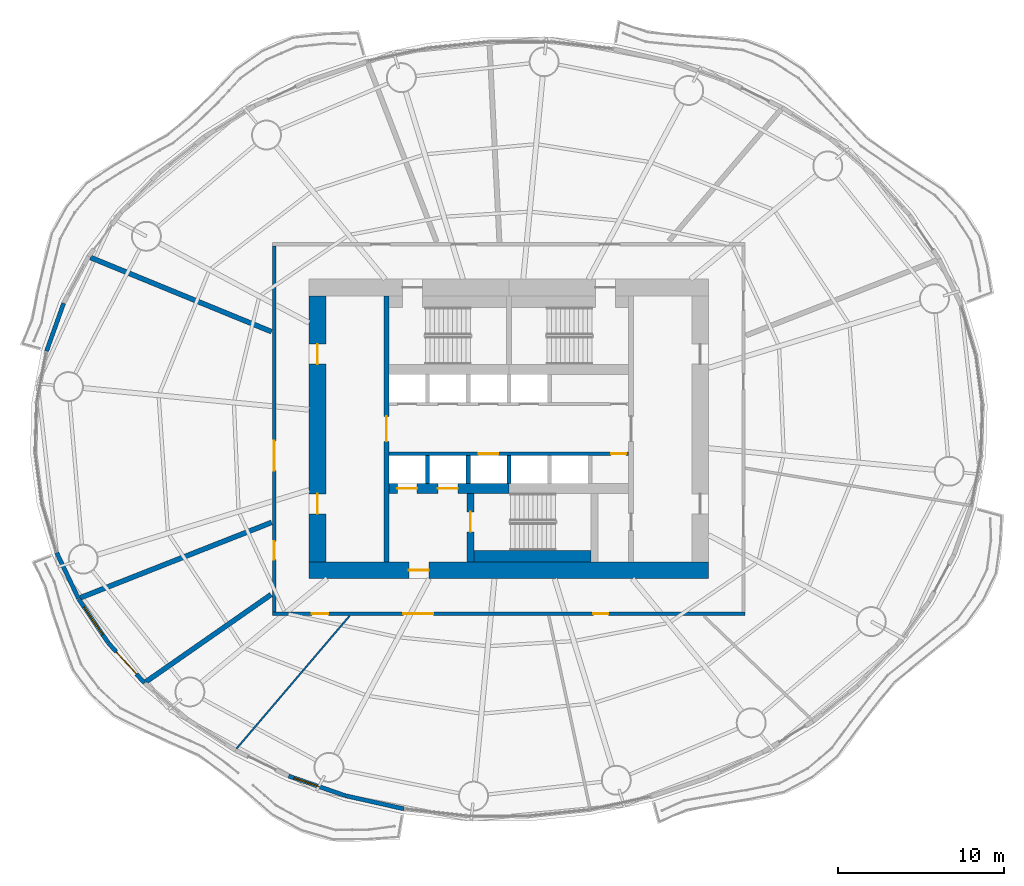
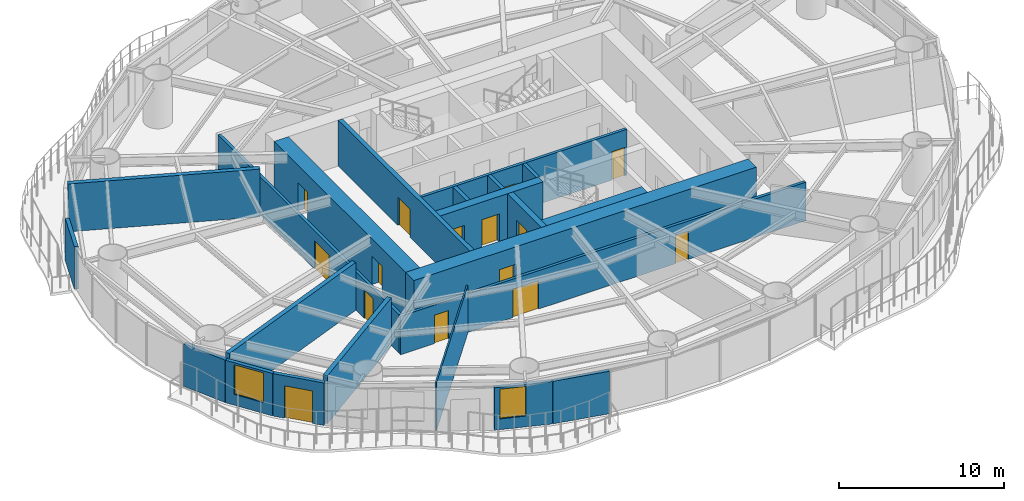
# One storey, part 8 of 16: 22 walls, 15 doors, 2 windows, 17 openings.
"""IFC4 building model written with IfcOpenShell, lengths in metres."""

from ifc_helpers import new_model, si_unit, direction, frame, frame_2d, origin, place, context, subcontext, project, spatial, rectangle, extrude, material, layer, layer_set, type_object, element, fill, save


model = new_model("IFC4")

# Units and contexts
model_context = context("Model", 3, precision=1e-05, world=origin(), true_north=direction((0.0, 1.0)))
body_context = subcontext(model_context, "Body", "Model", "MODEL_VIEW")
ifc_project = project(units=[si_unit("LENGTHUNIT", "METRE"), si_unit("AREAUNIT", "SQUARE_METRE"), si_unit("VOLUMEUNIT", "CUBIC_METRE"), si_unit("PLANEANGLEUNIT", "RADIAN"), si_unit("MASSUNIT", "GRAM", prefix="KILO")], contexts=[model_context])

# Site, building, storey
site_placement = place(None, origin())
site = spatial("IfcSite", under=ifc_project, at=site_placement, CompositionType="ELEMENT")
building_placement = place(site_placement, origin())
building = spatial("IfcBuilding", under=site, at=building_placement, Name="Vermilion Reach Broadcast Tower", CompositionType="ELEMENT")
storey_placement = place(building_placement, frame((0.0, 0.0, 47.10009765625)))
storey = spatial("IfcBuildingStorey", under=building, at=storey_placement, Name="L08", CompositionType="ELEMENT", Elevation=47.10009765625)

# Wall, opening, door
ifc_material_1 = material(Name="Concrete C70", Category="concrete")
ifc_layer_1 = layer(ifc_material_1, 0.300048828125)
ifc_layer_set_1 = layer_set([ifc_layer_1], Name="Core inner wall 300 mm Concrete C70")
wall_type_1 = type_object("IfcWallType", Name="Core inner wall 300 mm Concrete C70", PredefinedType="SHEAR", material=ifc_layer_set_1)
wall_1_placement = place(storey_placement, frame((-13.35009765625, 8.0, 0.0), z_axis=(0.0, 0.0, 1.0), x_axis=(0.0, -1.0, 0.0)))
wall_1 = element("IfcWall", 1, at=wall_1_placement, inside=storey, type_object=wall_type_1, Name="L08 core wall ewW", PredefinedType="SHEAR", context=body_context, shape_type="SweptSolid", body=[
    extrude(rectangle(XDim=16.0, YDim=0.300048828125, at=frame_2d((8.0, 0.0))), origin(), (0.0, 0.0, 1.0), 3.39990234375),
])
opening_1_placement = place(wall_1_placement, frame((7.25, 0.0, 0.0)))
opening_1 = element("IfcOpeningElement", 2, at=opening_1_placement, cuts=wall_1, Name="Opening D04", PredefinedType="OPENING", context=body_context, shape_type="SweptSolid", body=[
    extrude(rectangle(XDim=1.5, YDim=2.10009765625, at=frame_2d((0.75, 1.050048828125))), frame((0.0, 0.159912109375, 0.0), z_axis=(0.0, -1.0, 0.0), x_axis=(1.0, 0.0, 0.0)), (0.0, 0.0, 1.0), 0.320068359375),
])
ifc_material_2 = material(Name="Painted steel fire door", Category="steel")
door_type_1 = type_object("IfcDoorType", Name="Lift lobby door 1500 x 2100", OperationType="DOUBLE_DOOR_SINGLE_SWING", PredefinedType="NOTDEFINED", material=ifc_material_2)
door_1_placement = place(opening_1_placement, origin())
door_1 = element("IfcDoor", 3, at=door_1_placement, inside=storey, type_object=door_type_1, Name="L08 band door BW", OperationType="DOUBLE_DOOR_SINGLE_SWING", OverallHeight=2.10009765625, OverallWidth=1.5, PredefinedType="NOTDEFINED", context=body_context, shape_type="SweptSolid", body=[
    extrude(rectangle(XDim=1.5, YDim=2.10009765625, at=frame_2d((0.75, 1.050048828125))), frame((0.0, 0.02490234375, 0.0), z_axis=(0.0, -1.0, 0.0), x_axis=(1.0, 0.0, 0.0)), (0.0, 0.0, 1.0), 0.050048828125),
])
fill(opening_1, door_1)

ifc_material_3 = material(Name="Concrete C70", Category="concrete")
ifc_layer_2 = layer(ifc_material_3, 0.39990234375)
ifc_layer_set_2 = layer_set([ifc_layer_2], Name="Core inner wall 400 mm Concrete C70")
wall_type_2 = type_object("IfcWallType", Name="Core inner wall 400 mm Concrete C70", PredefinedType="SHEAR", material=ifc_layer_set_2)
wall_2_placement = place(storey_placement, frame((-8.300048828125, -3.8798828125, 0.0), z_axis=(0.0, 0.0, 1.0), x_axis=(0.0, -1.0, 0.0)))
wall_2 = element("IfcWall", 4, at=wall_2_placement, inside=storey, type_object=wall_type_2, Name="L08 core wall wa", PredefinedType="SHEAR", context=body_context, shape_type="SweptSolid", body=[
    extrude(rectangle(XDim=4.1201171875, YDim=0.39990234375, at=frame_2d((2.06005859375, 0.0))), origin(), (0.0, 0.0, 1.0), 3.39990234375),
])
opening_2_placement = place(wall_2_placement, frame((1.110107421875, 0.0, 0.0)))
opening_2 = element("IfcOpeningElement", 5, at=opening_2_placement, cuts=wall_2, Name="Opening D01", PredefinedType="OPENING", context=body_context, shape_type="SweptSolid", body=[
    extrude(rectangle(XDim=1.199951171875, YDim=2.10009765625, at=frame_2d((0.60009765625, 1.050048828125))), frame((0.0, 0.2099609375, 0.0), z_axis=(0.0, -1.0, 0.0), x_axis=(1.0, 0.0, 0.0)), (0.0, 0.0, 1.0), 0.419921875),
])
ifc_material_4 = material(Name="Painted steel fire door", Category="steel")
door_type_2 = type_object("IfcDoorType", Name="Stair door 1200 x 2100", OperationType="DOUBLE_DOOR_SINGLE_SWING", PredefinedType="NOTDEFINED", material=ifc_material_4)
door_2_placement = place(opening_2_placement, origin())
door_2 = element("IfcDoor", 6, at=door_2_placement, inside=storey, type_object=door_type_2, Name="L08 stair door ST3", OperationType="DOUBLE_DOOR_SINGLE_SWING", OverallHeight=2.10009765625, OverallWidth=1.199951171875, PredefinedType="NOTDEFINED", context=body_context, shape_type="SweptSolid", body=[
    extrude(rectangle(XDim=1.199951171875, YDim=2.10009765625, at=frame_2d((0.60009765625, 1.050048828125))), frame((0.0, 0.02490234375, 0.0), z_axis=(0.0, -1.0, 0.0), x_axis=(1.0, 0.0, 0.0)), (0.0, 0.0, 1.0), 0.050048828125),
])
fill(opening_2, door_2)

# Wall, openings, doors
ifc_material_5 = material(Name="Concrete C70", Category="concrete")
ifc_layer_3 = layer(ifc_material_5, 0.60009765625)
ifc_layer_set_3 = layer_set([ifc_layer_3], Name="Core inner wall 600 mm Concrete C70")
wall_type_3 = type_object("IfcWallType", Name="Core inner wall 600 mm Concrete C70", PredefinedType="SHEAR", material=ifc_layer_set_3)
wall_3_placement = place(storey_placement, frame((-13.199951171875, -3.580078125, 0.0), z_axis=(0.0, 0.0, 1.0), x_axis=(1.0, 0.0, 0.0)))
wall_3 = element("IfcWall", 7, at=wall_3_placement, inside=storey, type_object=wall_type_3, Name="L08 core wall wisW", PredefinedType="SHEAR", context=body_context, shape_type="SweptSolid", body=[
    extrude(rectangle(XDim=7.199951171875, YDim=0.60009765625, at=frame_2d((3.60009765625, 0.0))), origin(), (0.0, 0.0, 1.0), 3.39990234375),
])
opening_3_placement = place(wall_3_placement, frame((0.495849609375, 0.0, 0.0)))
opening_3 = element("IfcOpeningElement", 8, at=opening_3_placement, cuts=wall_3, Name="Opening LD1", PredefinedType="OPENING", context=body_context, shape_type="SweptSolid", body=[
    extrude(rectangle(XDim=1.199951171875, YDim=2.10009765625, at=frame_2d((0.60009765625, 1.050048828125))), frame((0.0, 0.31005859375, 0.0), z_axis=(0.0, -1.0, 0.0), x_axis=(1.0, 0.0, 0.0)), (0.0, 0.0, 1.0), 0.6201171875),
])
opening_4_placement = place(wall_3_placement, frame((2.9375, 0.0, 0.0)))
opening_4 = element("IfcOpeningElement", 9, at=opening_4_placement, cuts=wall_3, Name="Opening LD1", PredefinedType="OPENING", context=body_context, shape_type="SweptSolid", body=[
    extrude(rectangle(XDim=1.199951171875, YDim=2.10009765625, at=frame_2d((0.60009765625, 1.050048828125))), frame((0.0, 0.31005859375, 0.0), z_axis=(0.0, -1.0, 0.0), x_axis=(1.0, 0.0, 0.0)), (0.0, 0.0, 1.0), 0.6201171875),
])
ifc_material_6 = material(Name="Stainless steel", Category="steel")
door_type_3 = type_object("IfcDoorType", Name="Landing door 1200 x 2100", OperationType="DOUBLE_DOOR_SLIDING", PredefinedType="NOTDEFINED", material=ifc_material_6)
door_3_placement = place(opening_3_placement, origin())
door_3 = element("IfcDoor", 10, at=door_3_placement, inside=storey, type_object=door_type_3, Name="L08 landing door FF1", OperationType="DOUBLE_DOOR_SLIDING", OverallHeight=2.10009765625, OverallWidth=1.199951171875, PredefinedType="NOTDEFINED", context=body_context, shape_type="SweptSolid", body=[
    extrude(rectangle(XDim=1.199951171875, YDim=2.10009765625, at=frame_2d((0.60009765625, 1.050048828125))), frame((0.0, 0.02490234375, 0.0), z_axis=(0.0, -1.0, 0.0), x_axis=(1.0, 0.0, 0.0)), (0.0, 0.0, 1.0), 0.050048828125),
])
fill(opening_3, door_3)
door_4_placement = place(opening_4_placement, origin())
door_4 = element("IfcDoor", 11, at=door_4_placement, inside=storey, type_object=door_type_3, Name="L08 landing door FF2", OperationType="DOUBLE_DOOR_SLIDING", OverallHeight=2.10009765625, OverallWidth=1.199951171875, PredefinedType="NOTDEFINED", context=body_context, shape_type="SweptSolid", body=[
    extrude(rectangle(XDim=1.199951171875, YDim=2.10009765625, at=frame_2d((0.60009765625, 1.050048828125))), frame((0.0, 0.02490234375, 0.0), z_axis=(0.0, -1.0, 0.0), x_axis=(1.0, 0.0, 0.0)), (0.0, 0.0, 1.0), 0.050048828125),
])
fill(opening_4, door_4)

# Wall, opening, door
ifc_material_7 = material(Name="Concrete C70", Category="concrete")
ifc_layer_4 = layer(ifc_material_7, 1.0)
ifc_layer_set_4 = layer_set([ifc_layer_4], Name="Core outer wall 1000 mm Concrete C70")
wall_type_4 = type_object("IfcWallType", Name="Core outer wall 1000 mm Concrete C70", PredefinedType="SHEAR", material=ifc_layer_set_4)
wall_4_placement = place(storey_placement, frame((-18.0, -8.5, 0.0), z_axis=(0.0, 0.0, 1.0), x_axis=(1.0, 0.0, 0.0)))
wall_4 = element("IfcWall", 12, at=wall_4_placement, inside=storey, type_object=wall_type_4, Name="L08 core wall os", PredefinedType="SHEAR", context=body_context, shape_type="SweptSolid", body=[
    extrude(rectangle(XDim=24.0, YDim=1.0, at=frame_2d((12.0, 0.0))), origin(), (0.0, 0.0, 1.0), 3.39990234375),
])
opening_5_placement = place(wall_4_placement, frame((6.0, 0.0, 0.0)))
opening_5 = element("IfcOpeningElement", 13, at=opening_5_placement, cuts=wall_4, Name="Opening D02", PredefinedType="OPENING", context=body_context, shape_type="SweptSolid", body=[
    extrude(rectangle(XDim=1.199951171875, YDim=2.10009765625, at=frame_2d((0.60009765625, 1.050048828125))), frame((0.0, 0.510009765625, 0.0), z_axis=(0.0, -1.0, 0.0), x_axis=(1.0, 0.0, 0.0)), (0.0, 0.0, 1.0), 1.02001953125),
])
ifc_material_8 = material(Name="Painted steel fire door", Category="steel")
door_type_4 = type_object("IfcDoorType", Name="Firefighting lobby door 1200 x 2100", OperationType="DOUBLE_DOOR_SINGLE_SWING", PredefinedType="NOTDEFINED", material=ifc_material_8)
door_5_placement = place(opening_5_placement, origin())
door_5 = element("IfcDoor", 14, at=door_5_placement, inside=storey, type_object=door_type_4, Name="L08 ffdoor door FFL", OperationType="DOUBLE_DOOR_SINGLE_SWING", OverallHeight=2.10009765625, OverallWidth=1.199951171875, PredefinedType="NOTDEFINED", context=body_context, shape_type="SweptSolid", body=[
    extrude(rectangle(XDim=1.199951171875, YDim=2.10009765625, at=frame_2d((0.60009765625, 1.050048828125))), frame((0.0, 0.02490234375, 0.0), z_axis=(0.0, -1.0, 0.0), x_axis=(1.0, 0.0, 0.0)), (0.0, 0.0, 1.0), 0.050048828125),
])
fill(opening_5, door_5)

# Wall, openings, doors
wall_5_placement = place(storey_placement, frame((-17.5, 8.0, 0.0), z_axis=(0.0, 0.0, 1.0), x_axis=(0.0, -1.0, 0.0)))
wall_5 = element("IfcWall", 15, at=wall_5_placement, inside=storey, type_object=wall_type_4, Name="L08 core wall ow", PredefinedType="SHEAR", context=body_context, shape_type="SweptSolid", body=[
    extrude(rectangle(XDim=16.0, YDim=1.0, at=frame_2d((8.0, 0.0))), origin(), (0.0, 0.0, 1.0), 3.39990234375),
])
opening_6_placement = place(wall_5_placement, frame((11.89990234375, 0.0, 0.0)))
opening_6 = element("IfcOpeningElement", 16, at=opening_6_placement, cuts=wall_5, Name="Opening D03", PredefinedType="OPENING", context=body_context, shape_type="SweptSolid", body=[
    extrude(rectangle(XDim=1.199951171875, YDim=2.10009765625, at=frame_2d((0.60009765625, 1.050048828125))), frame((0.0, 0.510009765625, 0.0), z_axis=(0.0, -1.0, 0.0), x_axis=(1.0, 0.0, 0.0)), (0.0, 0.0, 1.0), 1.02001953125),
])
opening_7_placement = place(wall_5_placement, frame((2.89990234375, 0.0, 0.0)))
opening_7 = element("IfcOpeningElement", 17, at=opening_7_placement, cuts=wall_5, Name="Opening D03", PredefinedType="OPENING", context=body_context, shape_type="SweptSolid", body=[
    extrude(rectangle(XDim=1.199951171875, YDim=2.10009765625, at=frame_2d((0.60009765625, 1.050048828125))), frame((0.0, 0.510009765625, 0.0), z_axis=(0.0, -1.0, 0.0), x_axis=(1.0, 0.0, 0.0)), (0.0, 0.0, 1.0), 1.02001953125),
])
ifc_material_9 = material(Name="Painted steel fire door", Category="steel")
door_type_5 = type_object("IfcDoorType", Name="Core lobby door 1200 x 2100", OperationType="DOUBLE_DOOR_SINGLE_SWING", PredefinedType="NOTDEFINED", material=ifc_material_9)
door_6_placement = place(opening_6_placement, origin())
door_6 = element("IfcDoor", 18, at=door_6_placement, inside=storey, type_object=door_type_5, Name="L08 slot door W0", OperationType="DOUBLE_DOOR_SINGLE_SWING", OverallHeight=2.10009765625, OverallWidth=1.199951171875, PredefinedType="NOTDEFINED", context=body_context, shape_type="SweptSolid", body=[
    extrude(rectangle(XDim=1.199951171875, YDim=2.10009765625, at=frame_2d((0.60009765625, 1.050048828125))), frame((0.0, 0.02490234375, 0.0), z_axis=(0.0, -1.0, 0.0), x_axis=(1.0, 0.0, 0.0)), (0.0, 0.0, 1.0), 0.050048828125),
])
fill(opening_6, door_6)
door_7_placement = place(opening_7_placement, origin())
door_7 = element("IfcDoor", 19, at=door_7_placement, inside=storey, type_object=door_type_5, Name="L08 slot door W1", OperationType="DOUBLE_DOOR_SINGLE_SWING", OverallHeight=2.10009765625, OverallWidth=1.199951171875, PredefinedType="NOTDEFINED", context=body_context, shape_type="SweptSolid", body=[
    extrude(rectangle(XDim=1.199951171875, YDim=2.10009765625, at=frame_2d((0.60009765625, 1.050048828125))), frame((0.0, 0.02490234375, 0.0), z_axis=(0.0, -1.0, 0.0), x_axis=(1.0, 0.0, 0.0)), (0.0, 0.0, 1.0), 0.050048828125),
])
fill(opening_7, door_7)

ifc_material_10 = material(Name="Concrete C50", Category="concrete")
ifc_layer_5 = layer(ifc_material_10, 0.199951171875)
ifc_layer_set_5 = layer_set([ifc_layer_5], Name="Core shaft wall 200 mm Concrete C50")
wall_type_5 = type_object("IfcWallType", Name="Core shaft wall 200 mm Concrete C50", PredefinedType="SHEAR", material=ifc_layer_set_5)
wall_6_placement = place(storey_placement, frame((1.199951171875, -1.5, 0.0), z_axis=(0.0, 0.0, 1.0), x_axis=(-1.0, 0.0, 0.0)))
wall_6 = element("IfcWall", 20, at=wall_6_placement, inside=storey, type_object=wall_type_5, Name="L08 core wall fs", PredefinedType="SHEAR", context=body_context, shape_type="SweptSolid", body=[
    extrude(rectangle(XDim=14.39990234375, YDim=0.199951171875, at=frame_2d((7.199951171875, 0.0))), origin(), (0.0, 0.0, 1.0), 3.39990234375),
])
opening_8_placement = place(wall_6_placement, frame((7.82080078125, 0.0, 0.0)))
opening_8 = element("IfcOpeningElement", 21, at=opening_8_placement, cuts=wall_6, Name="Opening LD1", PredefinedType="OPENING", context=body_context, shape_type="SweptSolid", body=[
    extrude(rectangle(XDim=1.199951171875, YDim=2.10009765625, at=frame_2d((0.60009765625, 1.050048828125))), frame((0.0, 0.10986328125, 0.0), z_axis=(0.0, -1.0, 0.0), x_axis=(1.0, 0.0, 0.0)), (0.0, 0.0, 1.0), 0.219970703125),
])
opening_9_placement = place(wall_6_placement, frame((0.14990234375, 0.0, 0.0)))
opening_9 = element("IfcOpeningElement", 22, at=opening_9_placement, cuts=wall_6, Name="Opening D06", PredefinedType="OPENING", context=body_context, shape_type="SweptSolid", body=[
    extrude(rectangle(XDim=0.89990234375, YDim=2.10009765625, at=frame_2d((0.449951171875, 1.050048828125))), frame((0.0, 0.10986328125, 0.0), z_axis=(0.0, -1.0, 0.0), x_axis=(1.0, 0.0, 0.0)), (0.0, 0.0, 1.0), 0.219970703125),
])
door_8_placement = place(opening_8_placement, origin())
door_8 = element("IfcDoor", 23, at=door_8_placement, inside=storey, type_object=door_type_3, Name="L08 landing door SV1", OperationType="DOUBLE_DOOR_SLIDING", OverallHeight=2.10009765625, OverallWidth=1.199951171875, PredefinedType="NOTDEFINED", context=body_context, shape_type="SweptSolid", body=[
    extrude(rectangle(XDim=1.199951171875, YDim=2.10009765625, at=frame_2d((0.60009765625, 1.050048828125))), frame((0.0, 0.02490234375, 0.0), z_axis=(0.0, -1.0, 0.0), x_axis=(1.0, 0.0, 0.0)), (0.0, 0.0, 1.0), 0.050048828125),
])
fill(opening_8, door_8)
ifc_material_11 = material(Name="Timber door", Category="wood")
door_type_6 = type_object("IfcDoorType", Name="WC door 900 x 2100", OperationType="NOTDEFINED", PredefinedType="NOTDEFINED", material=ifc_material_11)
door_9_placement = place(opening_9_placement, origin())
door_9 = element("IfcDoor", 24, at=door_9_placement, inside=storey, type_object=door_type_6, Name="L08 door Male WC", OperationType="SINGLE_SWING_LEFT", OverallHeight=2.10009765625, OverallWidth=0.89990234375, PredefinedType="NOTDEFINED", context=body_context, shape_type="SweptSolid", body=[
    extrude(rectangle(XDim=0.89990234375, YDim=2.10009765625, at=frame_2d((0.449951171875, 1.050048828125))), frame((0.0, 0.02490234375, 0.0), z_axis=(0.0, -1.0, 0.0), x_axis=(1.0, 0.0, 0.0)), (0.0, 0.0, 1.0), 0.050048828125),
])
fill(opening_9, door_9)

# Walls
ifc_material_12 = material(Name="Concrete C50", Category="concrete")
ifc_layer_6 = layer(ifc_material_12, 0.25)
ifc_layer_set_6 = layer_set([ifc_layer_6], Name="Core shaft wall 250 mm Concrete C50")
wall_type_6 = type_object("IfcWallType", Name="Core shaft wall 250 mm Concrete C50", PredefinedType="SHEAR", material=ifc_layer_set_6)
for number, where, z_axis, x_axis, name in (
    (25, (-10.88330078125, -1.60009765625, 0.0), (0.0, 0.0, 1.0), (0.0, -1.0, 0.0), "L08 core wall psS0"),
    (26, (-8.441650390625, -1.60009765625, 0.0), (0.0, 0.0, 1.0), (0.0, -1.0, 0.0), "L08 core wall psS1"),
    (27, (-6.0, -1.60009765625, 0.0), (0.0, 0.0, 1.0), (0.0, -1.0, 0.0), "L08 core wall psS2"),
):
    element("IfcWall", number, at=place(storey_placement, frame(where, z_axis=z_axis, x_axis=x_axis)), inside=storey, type_object=wall_type_6, Name=name, PredefinedType="SHEAR", context=body_context, shape_type="SweptSolid", body=[
        extrude(rectangle(XDim=1.679931640625, YDim=0.25, at=frame_2d((0.83984375, 0.0))), origin(), (0.0, 0.0, 1.0), 3.39990234375),
    ])
ifc_material_13 = material(Name="Concrete C70", Category="concrete")
ifc_layer_7 = layer(ifc_material_13, 0.699951171875)
ifc_layer_set_7 = layer_set([ifc_layer_7], Name="Core stair wall 700 mm Concrete C70")
wall_type_7 = type_object("IfcWallType", Name="Core stair wall 700 mm Concrete C70", PredefinedType="SHEAR", material=ifc_layer_set_7)
wall_7_placement = place(storey_placement, frame((-8.10009765625, -7.64990234375, 0.0), z_axis=(0.0, 0.0, 1.0), x_axis=(1.0, 0.0, 0.0)))
element("IfcWall", 28, at=wall_7_placement, inside=storey, type_object=wall_type_7, Name="L08 core wall l3", PredefinedType="SHEAR", context=body_context, shape_type="SweptSolid", body=[
    extrude(rectangle(XDim=7.050048828125, YDim=0.699951171875, at=frame_2d((3.52490234375, 0.0))), origin(), (0.0, 0.0, 1.0), 3.39990234375),
])
ifc_material_14 = material(Name="Plasterboard on steel stud", Category="steel")
ifc_layer_8 = layer(ifc_material_14, 0.10009765625)
ifc_layer_set_8 = layer_set([ifc_layer_8], Name="Partition 100 steel stud")
wall_type_8 = type_object("IfcWallType", Name="Partition 100 steel stud", PredefinedType="PARTITIONING", material=ifc_layer_set_8)
wall_8_placement = place(storey_placement, frame((-22.358642578125, -19.2060546875, 0.0), z_axis=(0.0, 0.0, 1.0), x_axis=(0.648419428032, 0.761283288501, 0.0)))
element("IfcWall", 29, at=wall_8_placement, inside=storey, type_object=wall_type_8, Name="Partition 8.08", PredefinedType="PARTITIONING", context=body_context, shape_type="SweptSolid", body=[
    extrude(rectangle(XDim=10.473876953125, YDim=0.10009765625, at=frame_2d((5.23681640625, 0.0))), origin(), (0.0, 0.0, 1.0), 3.5498046875),
])
ifc_material_15 = material(Name="Double-leaf plasterboard on isolated steel stud", Category="steel")
ifc_layer_9 = layer(ifc_material_15, 0.300048828125)
ifc_layer_set_9 = layer_set([ifc_layer_9], Name="Partition 300 acoustic double leaf")
wall_type_9 = type_object("IfcWallType", Name="Partition 300 acoustic double leaf", PredefinedType="PARTITIONING", material=ifc_layer_set_9)
wall_9_placement = place(storey_placement, frame((-31.138916015625, 10.302978515625, 0.0), z_axis=(0.0, 0.0, 1.0), x_axis=(0.925302392071, -0.379230119093, 0.0)))
element("IfcWall", 30, at=wall_9_placement, inside=storey, type_object=wall_type_9, Name="Partition 8.05", PredefinedType="PARTITIONING", context=body_context, shape_type="SweptSolid", body=[
    extrude(rectangle(XDim=11.760498046875, YDim=0.300048828125, at=frame_2d((5.88037109375, 0.0))), origin(), (0.0, 0.0, 1.0), 3.5498046875),
])
wall_10_placement = place(storey_placement, frame((-31.74658203125, -10.144287109375, 0.0), z_axis=(0.0, 0.0, 1.0), x_axis=(0.930393072446, 0.366563406172, 0.0)))
element("IfcWall", 31, at=wall_10_placement, inside=storey, type_object=wall_type_9, Name="Partition 8.06", PredefinedType="PARTITIONING", context=body_context, shape_type="SweptSolid", body=[
    extrude(rectangle(XDim=12.3515625, YDim=0.300048828125, at=frame_2d((6.17578125, 0.0))), origin(), (0.0, 0.0, 1.0), 3.5498046875),
])
wall_11_placement = place(storey_placement, frame((-27.798583984375, -15.188232421875, 0.0), z_axis=(0.0, 0.0, 1.0), x_axis=(0.820483813594, 0.571669757491, 0.0)))
element("IfcWall", 32, at=wall_11_placement, inside=storey, type_object=wall_type_9, Name="Partition 8.07", PredefinedType="PARTITIONING", context=body_context, shape_type="SweptSolid", body=[
    extrude(rectangle(XDim=9.15673828125, YDim=0.300048828125, at=frame_2d((4.578369140625, 0.0))), origin(), (0.0, 0.0, 1.0), 3.5498046875),
])
ifc_material_16 = material(Name="Terracotta rainscreen cladding", Category="masonry")
ifc_layer_10 = layer(ifc_material_16, 0.25)
ifc_layer_set_10 = layer_set([ifc_layer_10], Name="Terracotta rainscreen wall 250")
wall_type_10 = type_object("IfcWallType", Name="Terracotta rainscreen wall 250", PredefinedType="SOLIDWALL", material=ifc_layer_set_10)
wall_12_placement = place(storey_placement, frame((-32.75341796875, 7.54736328125, 0.0), z_axis=(0.0, 0.0, 1.0), x_axis=(-0.335758185924, -0.941948215448, 0.0)))
element("IfcWall", 33, at=wall_12_placement, inside=storey, type_object=wall_type_10, Name="External wall L08 21", PredefinedType="SOLIDWALL", context=body_context, shape_type="SweptSolid", body=[
    extrude(rectangle(XDim=3.049560546875, YDim=0.25, at=frame_2d((1.52490234375, 0.0))), origin(), (0.0, 0.0, 1.0), 3.14990234375),
])
wall_13_placement = place(storey_placement, frame((-33.16796875, -7.43896484375, 0.0), z_axis=(0.0, 0.0, 1.0), x_axis=(0.428609341076, -0.903489918451, 0.0)))
element("IfcWall", 34, at=wall_13_placement, inside=storey, type_object=wall_type_10, Name="External wall L08 26", PredefinedType="SOLIDWALL", context=body_context, shape_type="SweptSolid", body=[
    extrude(rectangle(XDim=3.0498046875, YDim=0.25, at=frame_2d((1.52490234375, 0.0))), origin(), (0.0, 0.0, 1.0), 3.14990234375),
])

# Wall, opening, window
wall_14_placement = place(storey_placement, frame((-31.84765625, -10.21728515625, 0.0), z_axis=(0.0, 0.0, 1.0), x_axis=(0.558028768247, -0.829821603605, 0.0)))
wall_14 = element("IfcWall", 35, at=wall_14_placement, inside=storey, type_object=wall_type_10, Name="External wall L08 27", PredefinedType="SOLIDWALL", context=body_context, shape_type="SweptSolid", body=[
    extrude(rectangle(XDim=3.160888671875, YDim=0.25, at=frame_2d((1.58056640625, 0.0))), origin(), (0.0, 0.0, 1.0), 3.14990234375),
])
opening_10_placement = place(wall_14_placement, frame((0.580322265625, 0.0, 0.800048828125)))
opening_10 = element("IfcOpeningElement", 36, at=opening_10_placement, cuts=wall_14, Name="Opening W01", PredefinedType="OPENING", context=body_context, shape_type="SweptSolid", body=[
    extrude(rectangle(XDim=2.0, YDim=2.199951171875, at=frame_2d((1.0, 1.10009765625))), frame((0.0, 0.135009765625, 0.0), z_axis=(0.0, -1.0, 0.0), x_axis=(1.0, 0.0, 0.0)), (0.0, 0.0, 1.0), 0.27001953125),
])
ifc_material_17 = material(Name="Low-e laminated clear glass in aluminium frame", Category="aluminium")
window_type_1 = type_object("IfcWindowType", Name="Punched window 2000 x 2200 sill 800", PartitioningType="SINGLE_PANEL", PredefinedType="WINDOW", material=ifc_material_17)
window_1_placement = place(opening_10_placement, origin())
window_1 = element("IfcWindow", 37, at=window_1_placement, inside=storey, type_object=window_type_1, Name="Window L08 27", OverallHeight=2.199951171875, OverallWidth=2.0, PartitioningType="SINGLE_PANEL", PredefinedType="WINDOW", context=body_context, shape_type="SweptSolid", body=[
    extrude(rectangle(XDim=2.0, YDim=2.199951171875, at=frame_2d((1.0, 1.10009765625))), frame((0.0, 0.030029296875, 0.0), z_axis=(0.0, -1.0, 0.0), x_axis=(1.0, 0.0, 0.0)), (0.0, 0.0, 1.0), 0.06005859375),
])
fill(opening_10, window_1)

# Wall, opening, door
wall_15_placement = place(storey_placement, frame((-30.06787109375, -12.860595703125, 0.0), z_axis=(0.0, 0.0, 1.0), x_axis=(0.670103092784, -0.742268041237, 0.0)))
wall_15 = element("IfcWall", 38, at=wall_15_placement, inside=storey, type_object=wall_type_10, Name="External wall L08 28", PredefinedType="SOLIDWALL", context=body_context, shape_type="SweptSolid", body=[
    extrude(rectangle(XDim=3.244384765625, YDim=0.25, at=frame_2d((1.6220703125, 0.0))), origin(), (0.0, 0.0, 1.0), 3.14990234375),
])
opening_11_placement = place(wall_15_placement, frame((0.721923828125, 0.0, 0.0)))
opening_11 = element("IfcOpeningElement", 39, at=opening_11_placement, cuts=wall_15, Name="Opening D70", PredefinedType="OPENING", context=body_context, shape_type="SweptSolid", body=[
    extrude(rectangle(XDim=1.800048828125, YDim=2.39990234375, at=frame_2d((0.89990234375, 1.199951171875))), frame((0.0, 0.135009765625, 0.0), z_axis=(0.0, -1.0, 0.0), x_axis=(1.0, 0.0, 0.0)), (0.0, 0.0, 1.0), 0.27001953125),
])
ifc_material_18 = material(Name="Low-e laminated clear glass in aluminium frame", Category="aluminium")
door_type_7 = type_object("IfcDoorType", Name="Balcony sliding door 1800 x 2400", OperationType="DOUBLE_DOOR_SLIDING", PredefinedType="DOOR", material=ifc_material_18)
door_10_placement = place(opening_11_placement, origin())
door_10 = element("IfcDoor", 40, at=door_10_placement, inside=storey, type_object=door_type_7, Name="Balcony door L08 run 07", OperationType="DOUBLE_DOOR_SLIDING", OverallHeight=2.39990234375, OverallWidth=1.800048828125, PredefinedType="DOOR", context=body_context, shape_type="SweptSolid", body=[
    extrude(rectangle(XDim=1.800048828125, YDim=2.39990234375, at=frame_2d((0.89990234375, 1.199951171875))), frame((0.0, 0.02490234375, 0.0), z_axis=(0.0, -1.0, 0.0), x_axis=(1.0, 0.0, 0.0)), (0.0, 0.0, 1.0), 0.050048828125),
])
fill(opening_11, door_10)

# Wall, opening, window
wall_16_placement = place(storey_placement, frame((-19.227294921875, -20.8583984375, 0.0), z_axis=(0.0, 0.0, 1.0), x_axis=(0.944816817468, -0.327599116956, 0.0)))
wall_16 = element("IfcWall", 41, at=wall_16_placement, inside=storey, type_object=wall_type_10, Name="External wall L08 32", PredefinedType="SOLIDWALL", context=body_context, shape_type="SweptSolid", body=[
    extrude(rectangle(XDim=3.5869140625, YDim=0.25, at=frame_2d((1.79345703125, 0.0))), origin(), (0.0, 0.0, 1.0), 3.14990234375),
])
opening_12_placement = place(wall_16_placement, frame((0.343017578125, 0.0, 0.800048828125)))
opening_12 = element("IfcOpeningElement", 42, at=opening_12_placement, cuts=wall_16, Name="Opening W02", PredefinedType="OPENING", context=body_context, shape_type="SweptSolid", body=[
    extrude(rectangle(XDim=1.60009765625, YDim=2.199951171875, at=frame_2d((0.800048828125, 1.10009765625))), frame((0.0, 0.135009765625, 0.0), z_axis=(0.0, -1.0, 0.0), x_axis=(1.0, 0.0, 0.0)), (0.0, 0.0, 1.0), 0.27001953125),
])
ifc_material_19 = material(Name="Low-e laminated clear glass in aluminium frame", Category="aluminium")
window_type_2 = type_object("IfcWindowType", Name="Punched window 1600 x 2200 sill 800", PartitioningType="SINGLE_PANEL", PredefinedType="WINDOW", material=ifc_material_19)
window_2_placement = place(opening_12_placement, origin())
window_2 = element("IfcWindow", 43, at=window_2_placement, inside=storey, type_object=window_type_2, Name="Window L08 32", OverallHeight=2.199951171875, OverallWidth=1.60009765625, PartitioningType="SINGLE_PANEL", PredefinedType="WINDOW", context=body_context, shape_type="SweptSolid", body=[
    extrude(rectangle(XDim=1.60009765625, YDim=2.199951171875, at=frame_2d((0.800048828125, 1.10009765625))), frame((0.0, 0.030029296875, 0.0), z_axis=(0.0, -1.0, 0.0), x_axis=(1.0, 0.0, 0.0)), (0.0, 0.0, 1.0), 0.06005859375),
])
fill(opening_12, window_2)

# Wall
wall_17_placement = place(storey_placement, frame((-15.817138671875, -22.03955078125, 0.0), z_axis=(0.0, 0.0, 1.0), x_axis=(0.975672486329, -0.21923320784, 0.0)))
element("IfcWall", 44, at=wall_17_placement, inside=storey, type_object=wall_type_10, Name="External wall L08 33", PredefinedType="SOLIDWALL", context=body_context, shape_type="SweptSolid", body=[
    extrude(rectangle(XDim=3.6025390625, YDim=0.25, at=frame_2d((1.80126953125, 0.0))), origin(), (0.0, 0.0, 1.0), 3.14990234375),
])

# Wall, openings, doors
ifc_material_20 = material(Name="Fire-rated gypsum board partition")
ifc_layer_11 = layer(ifc_material_20, 0.199951171875)
ifc_layer_set_11 = layer_set([ifc_layer_11], Name="Under girder: Corridor wall 200 fire-rated")
wall_type_11 = type_object("IfcWallType", Name="Under girder: Corridor wall 200 fire-rated", PredefinedType="PARTITIONING", material=ifc_layer_set_11)
wall_18_placement = place(storey_placement, frame((8.199951171875, -11.10009765625, 0.0), z_axis=(0.0, 0.0, 1.0), x_axis=(-1.0, 0.0, 0.0)))
wall_18 = element("IfcWall", 45, at=wall_18_placement, inside=storey, type_object=wall_type_11, Name="Corridor wall 8.S", PredefinedType="PARTITIONING", context=body_context, shape_type="SweptSolid", body=[
    extrude(rectangle(XDim=28.39990234375, YDim=0.199951171875, at=frame_2d((14.199951171875, 0.0))), origin(), (0.0, 0.0, 1.0), 2.849853515625),
])
opening_13_placement = place(wall_18_placement, frame((25.03759765625, 0.0, 0.0)))
opening_13 = element("IfcOpeningElement", 46, at=opening_13_placement, cuts=wall_18, Name="Opening D20", PredefinedType="OPENING", context=body_context, shape_type="SweptSolid", body=[
    extrude(rectangle(XDim=1.0, YDim=2.10009765625, at=frame_2d((0.5, 1.050048828125))), frame((0.0, 0.10986328125, 0.0), z_axis=(0.0, -1.0, 0.0), x_axis=(1.0, 0.0, 0.0)), (0.0, 0.0, 1.0), 0.219970703125),
])
opening_14_placement = place(wall_18_placement, frame((18.729736328125, 0.0, 0.0)))
opening_14 = element("IfcOpeningElement", 47, at=opening_14_placement, cuts=wall_18, Name="Opening D21", PredefinedType="OPENING", context=body_context, shape_type="SweptSolid", body=[
    extrude(rectangle(XDim=1.800048828125, YDim=2.10009765625, at=frame_2d((0.89990234375, 1.050048828125))), frame((0.0, 0.10986328125, 0.0), z_axis=(0.0, -1.0, 0.0), x_axis=(1.0, 0.0, 0.0)), (0.0, 0.0, 1.0), 0.219970703125),
])
opening_15_placement = place(wall_18_placement, frame((8.22314453125, 0.0, 0.0)))
opening_15 = element("IfcOpeningElement", 48, at=opening_15_placement, cuts=wall_18, Name="Opening D22", PredefinedType="OPENING", context=body_context, shape_type="SweptSolid", body=[
    extrude(rectangle(XDim=0.89990234375, YDim=2.10009765625, at=frame_2d((0.449951171875, 1.050048828125))), frame((0.0, 0.10986328125, 0.0), z_axis=(0.0, -1.0, 0.0), x_axis=(1.0, 0.0, 0.0)), (0.0, 0.0, 1.0), 0.219970703125),
])
ifc_material_21 = material(Name="Timber door leaf", Category="wood")
door_type_8 = type_object("IfcDoorType", Name="Door pair 1800x2100", OperationType="NOTDEFINED", PredefinedType="DOOR", material=ifc_material_21)
door_11_placement = place(opening_14_placement, origin())
door_11 = element("IfcDoor", 49, at=door_11_placement, inside=storey, type_object=door_type_8, Name="Door 8.08", OperationType="DOUBLE_DOOR_SINGLE_SWING", OverallHeight=2.10009765625, OverallWidth=1.800048828125, PredefinedType="DOOR", context=body_context, shape_type="SweptSolid", body=[
    extrude(rectangle(XDim=1.800048828125, YDim=2.10009765625, at=frame_2d((0.89990234375, 1.050048828125))), frame((0.0, 0.02490234375, 0.0), z_axis=(0.0, -1.0, 0.0), x_axis=(1.0, 0.0, 0.0)), (0.0, 0.0, 1.0), 0.050048828125),
])
fill(opening_14, door_11)
ifc_material_22 = material(Name="Timber door leaf", Category="wood")
door_type_9 = type_object("IfcDoorType", Name="Door single 1000x2100", OperationType="NOTDEFINED", PredefinedType="DOOR", material=ifc_material_22)
door_12_placement = place(opening_13_placement, origin())
door_12 = element("IfcDoor", 50, at=door_12_placement, inside=storey, type_object=door_type_9, Name="Door 8.07", OperationType="SINGLE_SWING_LEFT", OverallHeight=2.10009765625, OverallWidth=1.0, PredefinedType="DOOR", context=body_context, shape_type="SweptSolid", body=[
    extrude(rectangle(XDim=1.0, YDim=2.10009765625, at=frame_2d((0.5, 1.050048828125))), frame((0.0, 0.02490234375, 0.0), z_axis=(0.0, -1.0, 0.0), x_axis=(1.0, 0.0, 0.0)), (0.0, 0.0, 1.0), 0.050048828125),
])
fill(opening_13, door_12)
ifc_material_23 = material(Name="Timber door leaf", Category="wood")
door_type_10 = type_object("IfcDoorType", Name="Door single 900x2100", OperationType="NOTDEFINED", PredefinedType="DOOR", material=ifc_material_23)
door_13_placement = place(opening_15_placement, origin())
door_13 = element("IfcDoor", 51, at=door_13_placement, inside=storey, type_object=door_type_10, Name="Door 8.09", OperationType="SINGLE_SWING_RIGHT", OverallHeight=2.10009765625, OverallWidth=0.89990234375, PredefinedType="DOOR", context=body_context, shape_type="SweptSolid", body=[
    extrude(rectangle(XDim=0.89990234375, YDim=2.10009765625, at=frame_2d((0.449951171875, 1.050048828125))), frame((0.0, 0.02490234375, 0.0), z_axis=(0.0, -1.0, 0.0), x_axis=(1.0, 0.0, 0.0)), (0.0, 0.0, 1.0), 0.050048828125),
])
fill(opening_15, door_13)

wall_19_placement = place(storey_placement, frame((-20.10009765625, -11.0, 0.0), z_axis=(0.0, 0.0, 1.0), x_axis=(0.0, 1.0, 0.0)))
wall_19 = element("IfcWall", 52, at=wall_19_placement, inside=storey, type_object=wall_type_11, Name="Corridor wall 8.W", PredefinedType="PARTITIONING", context=body_context, shape_type="SweptSolid", body=[
    extrude(rectangle(XDim=22.0, YDim=0.199951171875, at=frame_2d((11.0, 0.0))), origin(), (0.0, 0.0, 1.0), 2.849853515625),
])
opening_16_placement = place(wall_19_placement, frame((8.489501953125, 0.0, 0.0)))
opening_16 = element("IfcOpeningElement", 53, at=opening_16_placement, cuts=wall_19, Name="Opening D21", PredefinedType="OPENING", context=body_context, shape_type="SweptSolid", body=[
    extrude(rectangle(XDim=1.800048828125, YDim=2.10009765625, at=frame_2d((0.89990234375, 1.050048828125))), frame((0.0, 0.10986328125, 0.0), z_axis=(0.0, -1.0, 0.0), x_axis=(1.0, 0.0, 0.0)), (0.0, 0.0, 1.0), 0.219970703125),
])
opening_17_placement = place(wall_19_placement, frame((3.1455078125, 0.0, 0.0)))
opening_17 = element("IfcOpeningElement", 54, at=opening_17_placement, cuts=wall_19, Name="Opening D28", PredefinedType="OPENING", context=body_context, shape_type="SweptSolid", body=[
    extrude(rectangle(XDim=1.10009765625, YDim=2.10009765625, at=frame_2d((0.550048828125, 1.050048828125))), frame((0.0, 0.10986328125, 0.0), z_axis=(0.0, -1.0, 0.0), x_axis=(1.0, 0.0, 0.0)), (0.0, 0.0, 1.0), 0.219970703125),
])
door_14_placement = place(opening_16_placement, origin())
door_14 = element("IfcDoor", 55, at=door_14_placement, inside=storey, type_object=door_type_8, Name="Door 8.05", OperationType="DOUBLE_DOOR_SINGLE_SWING", OverallHeight=2.10009765625, OverallWidth=1.800048828125, PredefinedType="DOOR", context=body_context, shape_type="SweptSolid", body=[
    extrude(rectangle(XDim=1.800048828125, YDim=2.10009765625, at=frame_2d((0.89990234375, 1.050048828125))), frame((0.0, 0.02490234375, 0.0), z_axis=(0.0, -1.0, 0.0), x_axis=(1.0, 0.0, 0.0)), (0.0, 0.0, 1.0), 0.050048828125),
])
fill(opening_16, door_14)
ifc_material_24 = material(Name="Acoustic sound-lock door leaf")
door_type_11 = type_object("IfcDoorType", Name="Door single 1100x2100", OperationType="NOTDEFINED", PredefinedType="DOOR", material=ifc_material_24)
door_15_placement = place(opening_17_placement, origin())
door_15 = element("IfcDoor", 56, at=door_15_placement, inside=storey, type_object=door_type_11, Name="Door 8.06", OperationType="SINGLE_SWING_RIGHT", OverallHeight=2.10009765625, OverallWidth=1.10009765625, PredefinedType="DOOR", context=body_context, shape_type="SweptSolid", body=[
    extrude(rectangle(XDim=1.10009765625, YDim=2.10009765625, at=frame_2d((0.550048828125, 1.050048828125))), frame((0.0, 0.02490234375, 0.0), z_axis=(0.0, -1.0, 0.0), x_axis=(1.0, 0.0, 0.0)), (0.0, 0.0, 1.0), 0.050048828125),
])
fill(opening_17, door_15)

save(model, "model.ifc")
